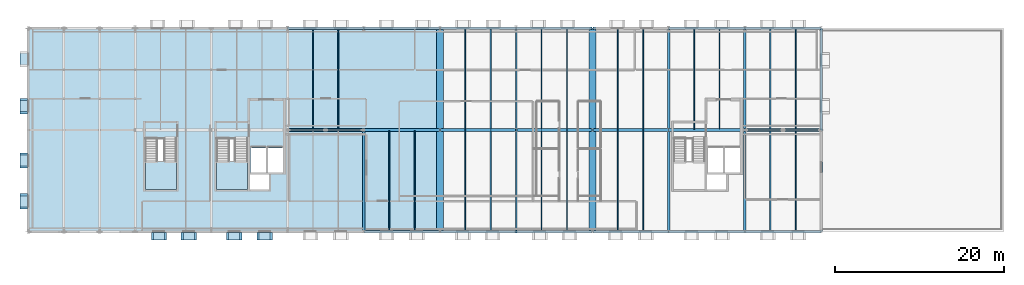
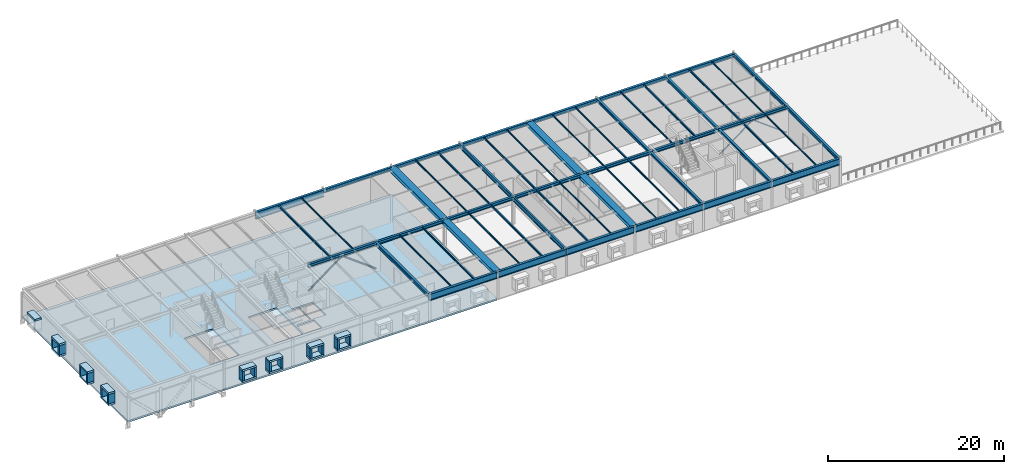
# One storey, part 5 of 17: 55 beams, 29 plates, 4 members, 3 slabs, 2 elements without a shape of their own.
"""IFC4 building model written with IfcOpenShell, lengths in metres."""

from ifc_helpers import new_model, si_unit, direction, frame, origin, origin_2d, place, context, subcontext, project, spatial, polyline, rectangle, hollow_circle, i_section, outline, extrude, material, layer, layer_set, material_profile, profile_set, type_object, element, aggregate, save


model = new_model("IFC4")

# Units and contexts
model_context = context("Model", 3, precision=1e-05, world=origin(), true_north=direction((0.0, 1.0)))
body_context = subcontext(model_context, "Body", "Model", "MODEL_VIEW")
ifc_project = project(units=[si_unit("LENGTHUNIT", "METRE"), si_unit("AREAUNIT", "SQUARE_METRE"), si_unit("VOLUMEUNIT", "CUBIC_METRE"), si_unit("PLANEANGLEUNIT", "RADIAN"), si_unit("MASSUNIT", "GRAM", prefix="KILO")], contexts=[model_context])

# Site, building, storey
site_placement = place(None, origin())
site = spatial("IfcSite", under=ifc_project, at=site_placement, CompositionType="ELEMENT")
building_placement = place(site_placement, origin())
building = spatial("IfcBuilding", under=site, at=building_placement, Name="Montelvaro Courts of Justice", CompositionType="ELEMENT")
storey_placement = place(building_placement, frame((0.0, 0.0, 27.39990234375)))
storey = spatial("IfcBuildingStorey", under=building, at=storey_placement, Name="L06", CompositionType="ELEMENT", Elevation=27.39990234375)

# Beams
ifc_material_1 = material(Name="Steel S355", Category="steel")
ifc_material_profile_1 = material_profile(ifc_material_1, i_section(OverallWidth=0.300048828125, OverallDepth=0.389892578125, WebThickness=0.010986328125, FlangeThickness=0.01904296875, at=origin_2d()), Name="HEA 400")
ifc_profile_set_1 = profile_set([ifc_material_profile_1], Name="Steel S355")
beam_type_1 = type_object("IfcBeamType", Name="Beam_HEA400", PredefinedType="USERDEFINED", material=ifc_profile_set_1)
for number, where, z_axis, x_axis, name in (
    (1, (108.0, 0.0, 3.60498046875), (0.0, 1.0, 0.0), (-1.0, 0.0, 0.0), "Beam B-17 L06"),
    (2, (108.0, 12.0, 3.60498046875), (0.0, 1.0, 0.0), (-1.0, 0.0, 0.0), "Beam B-17 L06"),
):
    element("IfcBeam", number, at=place(storey_placement, frame(where, z_axis=z_axis, x_axis=x_axis)), inside=storey, type_object=beam_type_1, Name=name, ObjectType="GIRDER", PredefinedType="USERDEFINED", context=body_context, shape_type="SweptSolid", body=[
        extrude(i_section(OverallWidth=0.300048828125, OverallDepth=0.389892578125, WebThickness=0.010986328125, FlangeThickness=0.01904296875, at=origin_2d()), origin(), (0.0, 0.0, 1.0), 12.0),
    ])
ifc_material_profile_2 = material_profile(ifc_material_1, i_section(OverallWidth=0.300048828125, OverallDepth=0.43994140625, WebThickness=0.011474609375, FlangeThickness=0.02099609375, at=origin_2d()), Name="HEA 450")
ifc_profile_set_2 = profile_set([ifc_material_profile_2], Name="Steel S355")
beam_type_2 = type_object("IfcBeamType", Name="Beam_HEA450", PredefinedType="USERDEFINED", material=ifc_profile_set_2)
beam_1_placement = place(storey_placement, frame((63.0, 12.0, 3.580078125), z_axis=(1.0, 0.0, 0.0), x_axis=(0.0, 1.0, 0.0)))
element("IfcBeam", 3, at=beam_1_placement, inside=storey, type_object=beam_type_2, Name="Beam B-18 L06", ObjectType="GIRDER", PredefinedType="USERDEFINED", context=body_context, shape_type="SweptSolid", body=[
    extrude(i_section(OverallWidth=0.300048828125, OverallDepth=0.43994140625, WebThickness=0.011474609375, FlangeThickness=0.02099609375, at=origin_2d()), origin(), (0.0, 0.0, 1.0), 9.0),
])
for number, where, z_axis, x_axis, name in (
    (4, (72.0, 12.0, 3.580078125), (1.0, 0.0, 0.0), (0.0, 1.0, 0.0), "Beam B-18 L06"),
    (5, (81.050048828125, 12.0, 3.580078125), (1.0, 0.0, 0.0), (0.0, 1.0, 0.0), "Beam B-18 L06"),
    (6, (90.0, 12.0, 3.580078125), (1.0, 0.0, 0.0), (0.0, 1.0, 0.0), "Beam B-18 L06"),
    (7, (99.050048828125, 12.0, 3.580078125), (1.0, 0.0, 0.0), (0.0, 1.0, 0.0), "Beam B-18 L06"),
):
    element("IfcBeam", number, at=place(storey_placement, frame(where, z_axis=z_axis, x_axis=x_axis)), inside=storey, type_object=beam_type_2, Name=name, ObjectType="GIRDER", PredefinedType="USERDEFINED", context=body_context, shape_type="SweptSolid", body=[
        extrude(i_section(OverallWidth=0.300048828125, OverallDepth=0.43994140625, WebThickness=0.011474609375, FlangeThickness=0.02099609375, at=origin_2d()), origin(), (0.0, 0.0, 1.0), 8.949951171875),
    ])
for number, where, z_axis, x_axis, name in (
    (8, (108.0, 12.0, 3.580078125), (1.0, 0.0, 0.0), (0.0, 1.0, 0.0), "Beam B-18 L06"),
    (9, (117.0, 12.0, 3.580078125), (1.0, 0.0, 0.0), (0.0, 1.0, 0.0), "Beam B-18 L06"),
):
    element("IfcBeam", number, at=place(storey_placement, frame(where, z_axis=z_axis, x_axis=x_axis)), inside=storey, type_object=beam_type_2, Name=name, ObjectType="GIRDER", PredefinedType="USERDEFINED", context=body_context, shape_type="SweptSolid", body=[
        extrude(i_section(OverallWidth=0.300048828125, OverallDepth=0.43994140625, WebThickness=0.011474609375, FlangeThickness=0.02099609375, at=origin_2d()), origin(), (0.0, 0.0, 1.0), 9.0),
    ])
for number, where, z_axis, x_axis, name in (
    (10, (117.0, 0.0, 3.580078125), (0.0, 1.0, 0.0), (-1.0, 0.0, 0.0), "Beam B-18 L06"),
    (11, (117.0, 12.0, 3.580078125), (0.0, 1.0, 0.0), (-1.0, 0.0, 0.0), "Beam B-18 L06"),
):
    element("IfcBeam", number, at=place(storey_placement, frame(where, z_axis=z_axis, x_axis=x_axis)), inside=storey, type_object=beam_type_2, Name=name, ObjectType="GIRDER", PredefinedType="USERDEFINED", context=body_context, shape_type="SweptSolid", body=[
        extrude(i_section(OverallWidth=0.300048828125, OverallDepth=0.43994140625, WebThickness=0.011474609375, FlangeThickness=0.02099609375, at=origin_2d()), origin(), (0.0, 0.0, 1.0), 12.0),
    ])
ifc_material_profile_3 = material_profile(ifc_material_1, i_section(OverallWidth=0.300048828125, OverallDepth=0.489990234375, WebThickness=0.011962890625, FlangeThickness=0.02294921875, at=origin_2d()), Name="HEA 500")
ifc_profile_set_3 = profile_set([ifc_material_profile_3], Name="Steel S355")
beam_type_3 = type_object("IfcBeamType", Name="Beam_HEA500", PredefinedType="USERDEFINED", material=ifc_profile_set_3)
for number, where, z_axis, x_axis, name in (
    (12, (72.0, 24.0, 3.55517578125), (1.0, 0.0, 0.0), (0.0, 1.0, 0.0), "Beam B-19 L06"),
    (13, (81.050048828125, 24.0, 3.55517578125), (1.0, 0.0, 0.0), (0.0, 1.0, 0.0), "Beam B-19 L06"),
    (14, (90.0, 24.0, 3.55517578125), (1.0, 0.0, 0.0), (0.0, 1.0, 0.0), "Beam B-19 L06"),
    (15, (99.050048828125, 24.0, 3.55517578125), (1.0, 0.0, 0.0), (0.0, 1.0, 0.0), "Beam B-19 L06"),
):
    element("IfcBeam", number, at=place(storey_placement, frame(where, z_axis=z_axis, x_axis=x_axis)), inside=storey, type_object=beam_type_3, Name=name, ObjectType="GIRDER", PredefinedType="USERDEFINED", context=body_context, shape_type="SweptSolid", body=[
        extrude(i_section(OverallWidth=0.300048828125, OverallDepth=0.489990234375, WebThickness=0.011962890625, FlangeThickness=0.02294921875, at=origin_2d()), origin(), (0.0, 0.0, 1.0), 8.949951171875),
    ])
for number, where, z_axis, x_axis, name in (
    (16, (108.0, 24.0, 3.55517578125), (1.0, 0.0, 0.0), (0.0, 1.0, 0.0), "Beam B-19 L06"),
    (17, (117.0, 24.0, 3.55517578125), (1.0, 0.0, 0.0), (0.0, 1.0, 0.0), "Beam B-19 L06"),
):
    element("IfcBeam", number, at=place(storey_placement, frame(where, z_axis=z_axis, x_axis=x_axis)), inside=storey, type_object=beam_type_3, Name=name, ObjectType="GIRDER", PredefinedType="USERDEFINED", context=body_context, shape_type="SweptSolid", body=[
        extrude(i_section(OverallWidth=0.300048828125, OverallDepth=0.489990234375, WebThickness=0.011962890625, FlangeThickness=0.02294921875, at=origin_2d()), origin(), (0.0, 0.0, 1.0), 9.0),
    ])
for number, where, z_axis, x_axis, name in (
    (18, (72.0, 0.0, 3.55517578125), (0.0, 1.0, 0.0), (-1.0, 0.0, 0.0), "Beam B-19 L06"),
    (19, (126.0, 0.0, 3.55517578125), (0.0, 1.0, 0.0), (-1.0, 0.0, 0.0), "Beam B-19 L06"),
    (20, (126.0, 12.0, 3.55517578125), (0.0, 1.0, 0.0), (-1.0, 0.0, 0.0), "Beam B-19 L06"),
):
    element("IfcBeam", number, at=place(storey_placement, frame(where, z_axis=z_axis, x_axis=x_axis)), inside=storey, type_object=beam_type_3, Name=name, ObjectType="GIRDER", PredefinedType="USERDEFINED", context=body_context, shape_type="SweptSolid", body=[
        extrude(i_section(OverallWidth=0.300048828125, OverallDepth=0.489990234375, WebThickness=0.011962890625, FlangeThickness=0.02294921875, at=origin_2d()), origin(), (0.0, 0.0, 1.0), 12.0),
    ])
ifc_material_profile_4 = material_profile(ifc_material_1, i_section(OverallWidth=0.302001953125, OverallDepth=1.008056640625, WebThickness=0.02099609375, FlangeThickness=0.0400390625, at=origin_2d()), Name="HEM 1000")
ifc_profile_set_4 = profile_set([ifc_material_profile_4], Name="Steel S355")
beam_type_4 = type_object("IfcBeamType", Name="Beam_HEM1000", PredefinedType="USERDEFINED", material=ifc_profile_set_4)
beam_2_placement = place(storey_placement, frame((72.0, 24.0, 3.296142578125), z_axis=(-1.0, 0.0, 0.0), x_axis=(0.0, -1.0, 0.0)))
element("IfcBeam", 21, at=beam_2_placement, inside=storey, type_object=beam_type_4, Name="Pratt Cantilever Truss Chord CTR-BAR3-N-L07-BS1", ObjectType="GIRDER", PredefinedType="USERDEFINED", context=body_context, shape_type="SweptSolid", body=[
    extrude(i_section(OverallWidth=0.302001953125, OverallDepth=1.008056640625, WebThickness=0.02099609375, FlangeThickness=0.0400390625, at=origin_2d()), origin(), (0.0, 0.0, 1.0), 9.0),
])
ifc_material_profile_5 = material_profile(ifc_material_1, i_section(OverallWidth=0.302001953125, OverallDepth=0.909912109375, WebThickness=0.02099609375, FlangeThickness=0.0400390625, at=origin_2d()), Name="HEM 900")
ifc_profile_set_5 = profile_set([ifc_material_profile_5], Name="Steel S355")
beam_type_5 = type_object("IfcBeamType", Name="Beam_HEM900", PredefinedType="USERDEFINED", material=ifc_profile_set_5)
for number, where, z_axis, x_axis, name in (
    (22, (72.0, 0.0, 3.34521484375), (1.0, 0.0, 0.0), (0.0, 1.0, 0.0), "Beam B-31 L06"),
    (23, (81.050048828125, 0.0, 3.34521484375), (1.0, 0.0, 0.0), (0.0, 1.0, 0.0), "Beam B-31 L06"),
    (24, (90.0, 0.0, 3.34521484375), (1.0, 0.0, 0.0), (0.0, 1.0, 0.0), "Beam B-31 L06"),
    (25, (99.050048828125, 0.0, 3.34521484375), (1.0, 0.0, 0.0), (0.0, 1.0, 0.0), "Beam B-31 L06"),
):
    element("IfcBeam", number, at=place(storey_placement, frame(where, z_axis=z_axis, x_axis=x_axis)), inside=storey, type_object=beam_type_5, Name=name, ObjectType="GIRDER", PredefinedType="USERDEFINED", context=body_context, shape_type="SweptSolid", body=[
        extrude(i_section(OverallWidth=0.302001953125, OverallDepth=0.909912109375, WebThickness=0.02099609375, FlangeThickness=0.0400390625, at=origin_2d()), origin(), (0.0, 0.0, 1.0), 8.949951171875),
    ])
for number, where, z_axis, x_axis, name in (
    (26, (108.0, 0.0, 3.34521484375), (1.0, 0.0, 0.0), (0.0, 1.0, 0.0), "Beam B-31 L06"),
    (27, (117.0, 0.0, 3.34521484375), (1.0, 0.0, 0.0), (0.0, 1.0, 0.0), "Beam B-31 L06"),
):
    element("IfcBeam", number, at=place(storey_placement, frame(where, z_axis=z_axis, x_axis=x_axis)), inside=storey, type_object=beam_type_5, Name=name, ObjectType="GIRDER", PredefinedType="USERDEFINED", context=body_context, shape_type="SweptSolid", body=[
        extrude(i_section(OverallWidth=0.302001953125, OverallDepth=0.909912109375, WebThickness=0.02099609375, FlangeThickness=0.0400390625, at=origin_2d()), origin(), (0.0, 0.0, 1.0), 9.0),
    ])
ifc_material_profile_6 = material_profile(ifc_material_1, i_section(OverallWidth=0.10009765625, OverallDepth=0.199951171875, WebThickness=0.005615234375, FlangeThickness=0.008544921875, at=origin_2d()), Name="IPE 200")
ifc_profile_set_6 = profile_set([ifc_material_profile_6], Name="Steel S355")
beam_type_6 = type_object("IfcBeamType", Name="Beam_IPE200", PredefinedType="JOIST", material=ifc_profile_set_6)
for number, where, z_axis, x_axis, name in (
    (28, (69.0, 12.110107421875, 3.7001953125), (0.0, 1.0, 0.0), (-1.0, 0.0, 0.0), "Beam B-01 L06"),
    (29, (75.0, 0.110107421875, 3.7001953125), (0.0, 1.0, 0.0), (-1.0, 0.0, 0.0), "Beam B-01 L06"),
    (30, (96.0, 0.110107421875, 3.7001953125), (0.0, 1.0, 0.0), (-1.0, 0.0, 0.0), "Beam B-01 L06"),
    (31, (96.0, 12.110107421875, 3.7001953125), (0.0, 1.0, 0.0), (-1.0, 0.0, 0.0), "Beam B-01 L06"),
    (32, (102.0, 0.110107421875, 3.7001953125), (0.0, 1.0, 0.0), (-1.0, 0.0, 0.0), "Beam B-01 L06"),
    (33, (102.0, 12.110107421875, 3.7001953125), (0.0, 1.0, 0.0), (-1.0, 0.0, 0.0), "Beam B-01 L06"),
    (34, (123.0, 0.110107421875, 3.7001953125), (0.0, 1.0, 0.0), (-1.0, 0.0, 0.0), "Beam B-01 L06"),
    (35, (123.0, 12.110107421875, 3.7001953125), (0.0, 1.0, 0.0), (-1.0, 0.0, 0.0), "Beam B-01 L06"),
):
    element("IfcBeam", number, at=place(storey_placement, frame(where, z_axis=z_axis, x_axis=x_axis)), inside=storey, type_object=beam_type_6, Name=name, PredefinedType="JOIST", context=body_context, shape_type="SweptSolid", body=[
        extrude(i_section(OverallWidth=0.10009765625, OverallDepth=0.199951171875, WebThickness=0.005615234375, FlangeThickness=0.008544921875, at=origin_2d()), origin(), (0.0, 0.0, 1.0), 11.77978515625),
    ])
ifc_material_profile_7 = material_profile(ifc_material_1, i_section(OverallWidth=0.110107421875, OverallDepth=0.219970703125, WebThickness=0.005859375, FlangeThickness=0.00927734375, at=origin_2d()), Name="IPE 220")
ifc_profile_set_7 = profile_set([ifc_material_profile_7], Name="Steel S355")
beam_type_7 = type_object("IfcBeamType", Name="Beam_IPE220", PredefinedType="JOIST", material=ifc_profile_set_7)
for number, where, z_axis, x_axis, name in (
    (36, (78.0, 0.110107421875, 3.690185546875), (0.0, 1.0, 0.0), (-1.0, 0.0, 0.0), "Beam B-02 L06"),
    (37, (84.0, 0.110107421875, 3.690185546875), (0.0, 1.0, 0.0), (-1.0, 0.0, 0.0), "Beam B-02 L06"),
    (38, (84.0, 12.110107421875, 3.690185546875), (0.0, 1.0, 0.0), (-1.0, 0.0, 0.0), "Beam B-02 L06"),
    (39, (105.0, 0.110107421875, 3.690185546875), (0.0, 1.0, 0.0), (-1.0, 0.0, 0.0), "Beam B-02 L06"),
    (40, (105.0, 12.110107421875, 3.690185546875), (0.0, 1.0, 0.0), (-1.0, 0.0, 0.0), "Beam B-02 L06"),
    (41, (111.0, 12.110107421875, 3.690185546875), (0.0, 1.0, 0.0), (-1.0, 0.0, 0.0), "Beam B-02 L06"),
):
    element("IfcBeam", number, at=place(storey_placement, frame(where, z_axis=z_axis, x_axis=x_axis)), inside=storey, type_object=beam_type_7, Name=name, PredefinedType="JOIST", context=body_context, shape_type="SweptSolid", body=[
        extrude(i_section(OverallWidth=0.110107421875, OverallDepth=0.219970703125, WebThickness=0.005859375, FlangeThickness=0.00927734375, at=origin_2d()), origin(), (0.0, 0.0, 1.0), 11.77978515625),
    ])
ifc_material_profile_8 = material_profile(ifc_material_1, i_section(OverallWidth=0.135009765625, OverallDepth=0.27001953125, WebThickness=0.006591796875, FlangeThickness=0.01025390625, at=origin_2d()), Name="IPE 270")
ifc_profile_set_8 = profile_set([ifc_material_profile_8], Name="Steel S355")
beam_type_8 = type_object("IfcBeamType", Name="Beam_IPE270", PredefinedType="JOIST", material=ifc_profile_set_8)
for number, where, z_axis, x_axis, name in (
    (42, (66.0, 12.110107421875, 3.6650390625), (0.0, 1.0, 0.0), (-1.0, 0.0, 0.0), "Beam B-04 L06"),
    (43, (87.0, 0.110107421875, 3.6650390625), (0.0, 1.0, 0.0), (-1.0, 0.0, 0.0), "Beam B-04 L06"),
    (44, (87.0, 12.110107421875, 3.6650390625), (0.0, 1.0, 0.0), (-1.0, 0.0, 0.0), "Beam B-04 L06"),
    (45, (93.0, 0.110107421875, 3.6650390625), (0.0, 1.0, 0.0), (-1.0, 0.0, 0.0), "Beam B-04 L06"),
    (46, (93.0, 12.110107421875, 3.6650390625), (0.0, 1.0, 0.0), (-1.0, 0.0, 0.0), "Beam B-04 L06"),
    (47, (114.0, 12.110107421875, 3.6650390625), (0.0, 1.0, 0.0), (-1.0, 0.0, 0.0), "Beam B-04 L06"),
    (48, (120.0, 0.110107421875, 3.6650390625), (0.0, 1.0, 0.0), (-1.0, 0.0, 0.0), "Beam B-04 L06"),
    (49, (120.0, 12.110107421875, 3.6650390625), (0.0, 1.0, 0.0), (-1.0, 0.0, 0.0), "Beam B-04 L06"),
):
    element("IfcBeam", number, at=place(storey_placement, frame(where, z_axis=z_axis, x_axis=x_axis)), inside=storey, type_object=beam_type_8, Name=name, PredefinedType="JOIST", context=body_context, shape_type="SweptSolid", body=[
        extrude(i_section(OverallWidth=0.135009765625, OverallDepth=0.27001953125, WebThickness=0.006591796875, FlangeThickness=0.01025390625, at=origin_2d()), origin(), (0.0, 0.0, 1.0), 11.77978515625),
    ])
ifc_material_profile_9 = material_profile(ifc_material_1, i_section(OverallWidth=0.219970703125, OverallDepth=0.60009765625, WebThickness=0.011962890625, FlangeThickness=0.01904296875, at=origin_2d()), Name="IPE 600")
ifc_profile_set_9 = profile_set([ifc_material_profile_9], Name="Steel S355")
beam_type_9 = type_object("IfcBeamType", Name="Beam_IPE600", PredefinedType="USERDEFINED", material=ifc_profile_set_9)
for number, where, z_axis, x_axis, name in (
    (50, (90.0, 0.0, 3.5), (0.0, 1.0, 0.0), (-1.0, 0.0, 0.0), "Beam B-12 L06"),
    (51, (90.0, 12.0, 3.5), (0.0, 1.0, 0.0), (-1.0, 0.0, 0.0), "Beam B-12 L06"),
):
    element("IfcBeam", number, at=place(storey_placement, frame(where, z_axis=z_axis, x_axis=x_axis)), inside=storey, type_object=beam_type_9, Name=name, ObjectType="GIRDER", PredefinedType="USERDEFINED", context=body_context, shape_type="SweptSolid", body=[
        extrude(i_section(OverallWidth=0.219970703125, OverallDepth=0.60009765625, WebThickness=0.011962890625, FlangeThickness=0.01904296875, at=origin_2d()), origin(), (0.0, 0.0, 1.0), 12.0),
    ])
ifc_material_profile_10 = material_profile(ifc_material_1, i_section(OverallWidth=0.860107421875, OverallDepth=0.47998046875, WebThickness=0.02001953125, FlangeThickness=0.031982421875, at=origin_2d()), Name="HL 480x860")
ifc_profile_set_10 = profile_set([ifc_material_profile_10], Name="Steel S355")
beam_type_10 = type_object("IfcBeamType", Name="Beam_MJSeat_860", PredefinedType="USERDEFINED", material=ifc_profile_set_10)
for number, where, z_axis, x_axis, name in (
    (52, (81.0, 0.0, 3.56005859375), (0.0, 1.0, 0.0), (-1.0, 0.0, 0.0), "Beam BC-01 L06"),
    (53, (81.0, 12.0, 3.56005859375), (0.0, 1.0, 0.0), (-1.0, 0.0, 0.0), "Beam BC-01 L06"),
    (54, (99.0, 0.0, 3.56005859375), (0.0, 1.0, 0.0), (-1.0, 0.0, 0.0), "Beam BC-01 L06"),
    (55, (99.0, 12.0, 3.56005859375), (0.0, 1.0, 0.0), (-1.0, 0.0, 0.0), "Beam BC-01 L06"),
):
    element("IfcBeam", number, at=place(storey_placement, frame(where, z_axis=z_axis, x_axis=x_axis)), inside=storey, type_object=beam_type_10, Name=name, ObjectType="GIRDER", PredefinedType="USERDEFINED", context=body_context, shape_type="SweptSolid", body=[
        extrude(i_section(OverallWidth=0.860107421875, OverallDepth=0.47998046875, WebThickness=0.02001953125, FlangeThickness=0.031982421875, at=origin_2d()), origin(), (0.0, 0.0, 1.0), 12.0),
    ])

# Members
ifc_material_profile_11 = material_profile(ifc_material_1, hollow_circle(Radius=0.084228515625, WallThickness=0.008056640625, at=origin_2d()), Name="CHS 168.3x8")
ifc_profile_set_11 = profile_set([ifc_material_profile_11], Name="Steel S355")
member_type = type_object("IfcMemberType", Name="Mem_CHS168_Brace", PredefinedType="BRACE", material=ifc_profile_set_11)
for number, where, z_axis, x_axis, name in (
    (56, (63.080078125, 12.0, 0.080078125), (0.801294084563, 0.0, 0.598270666208), (0.0, 1.0, 0.0), "Lateral Braced Frame CBF1 Diagonal 1 (L06)"),
    (57, (71.919921875, 12.0, 0.080078125), (-0.801294084563, 0.0, 0.598270666208), (0.0, -1.0, 0.0), "Lateral Braced Frame CBF1 Diagonal 2 (L06)"),
    (58, (117.080078125, 12.0, 0.080078125), (0.801294084563, 0.0, 0.598270666208), (0.0, 1.0, 0.0), "Lateral Braced Frame CBF2 Diagonal 1 (L06)"),
    (59, (125.919921875, 12.0, 0.080078125), (-0.801294084563, 0.0, 0.598270666208), (0.0, -1.0, 0.0), "Lateral Braced Frame CBF2 Diagonal 2 (L06)"),
):
    element("IfcMember", number, at=place(storey_placement, frame(where, z_axis=z_axis, x_axis=x_axis)), inside=storey, type_object=member_type, Name=name, PredefinedType="BRACE", context=body_context, shape_type="SweptSolid", body=[
        extrude(hollow_circle(Radius=0.084228515625, WallThickness=0.008056640625, at=origin_2d()), origin(), (0.0, 0.0, 1.0), 5.515869140625),
    ])

# Slab
ifc_material_2 = material(Name="Concrete C35/45", Category="concrete")
ifc_layer_1 = layer(ifc_material_2, 0.239990234375)
ifc_layer_set_1 = layer_set([ifc_layer_1], Name="Concrete C35/45")
slab_type_1 = type_object("IfcSlabType", Name="FloorSlab_240", PredefinedType="FLOOR", material=ifc_layer_set_1)
slab_1_placement = place(storey_placement, frame((0.0, 0.0, -0.239990234375)))
element("IfcSlab", 60, at=slab_1_placement, inside=storey, type_object=slab_type_1, Name="Structural Slab SF-08 L06", PredefinedType="FLOOR", context=body_context, shape_type="SweptSolid", body=[
    extrude(outline(polyline([(32.39990234375, 0.0), (80.949951171875, 0.0), (80.949951171875, 24.0), (32.39990234375, 24.0), (32.39990234375, 0.0)]), holes=[polyline([(54.60009765625, 5.0), (58.300048828125, 5.0), (58.300048828125, 11.0), (54.60009765625, 11.0), (54.60009765625, 5.0)]), polyline([(58.5400390625, 5.0), (60.800048828125, 5.0), (60.800048828125, 6.760009765625), (58.5400390625, 6.760009765625), (58.5400390625, 5.0)]), polyline([(58.64990234375, 7.0), (60.5, 7.0), (60.5, 9.89990234375), (58.64990234375, 9.89990234375), (58.64990234375, 7.0)]), polyline([(60.60009765625, 7.0), (62.449951171875, 7.0), (62.449951171875, 9.89990234375), (60.60009765625, 9.89990234375), (60.60009765625, 7.0)]), polyline([(46.199951171875, 5.0), (49.89990234375, 5.0), (49.89990234375, 11.0), (46.199951171875, 11.0), (46.199951171875, 5.0)])]), origin(), (0.0, 0.0, 1.0), 0.239990234375),
])

# Plates
ifc_material_3 = material(Name="White mineral precast concrete C45/55", Category="concrete")
ifc_layer_2 = layer(ifc_material_3, 0.25)
ifc_layer_set_2 = layer_set([ifc_layer_2], Name="White mineral precast concrete C45/55")
plate_type = type_object("IfcPlateType", Name="PrecastSquareFrame_250x850", PredefinedType="SHEET", material=ifc_layer_set_2)
for number, where, z_axis, x_axis, name in (
    (61, (47.80810546875, -0.56005859375, 2.35009765625), (0.0, 0.0, 1.0), (1.0, 0.0, 0.0), "Graduated Square Window Frame PF-03 W-L06-284 TOP"),
    (62, (47.80810546875, -0.56005859375, 0.800048828125), (0.0, 0.0, 1.0), (1.0, 0.0, 0.0), "Graduated Square Window Frame PF-03 W-L06-284 BOT"),
):
    element("IfcPlate", number, at=place(storey_placement, frame(where, z_axis=z_axis, x_axis=x_axis)), inside=storey, type_object=plate_type, Name=name, PredefinedType="SHEET", context=body_context, shape_type="SweptSolid", body=[
        extrude(rectangle(XDim=1.800048828125, YDim=0.860107421875, at=origin_2d()), origin(), (0.0, 0.0, 1.0), 0.25),
    ])
for number, where, z_axis, x_axis, name in (
    (63, (47.032958984375, -0.56005859375, 1.05029296875), (0.0, 0.0, 1.0), (1.0, 0.0, 0.0), "Graduated Square Window Frame PF-03 W-L06-284 L"),
    (64, (48.5830078125, -0.56005859375, 1.05029296875), (0.0, 0.0, 1.0), (1.0, 0.0, 0.0), "Graduated Square Window Frame PF-03 W-L06-284 R"),
):
    element("IfcPlate", number, at=place(storey_placement, frame(where, z_axis=z_axis, x_axis=x_axis)), inside=storey, type_object=plate_type, Name=name, PredefinedType="SHEET", context=body_context, shape_type="SweptSolid", body=[
        extrude(rectangle(XDim=0.25, YDim=0.860107421875, at=origin_2d()), origin(), (0.0, 0.0, 1.0), 1.300048828125),
    ])
for number, where, z_axis, x_axis, name in (
    (65, (51.342041015625, -0.56005859375, 2.35009765625), (0.0, 0.0, 1.0), (1.0, 0.0, 0.0), "Graduated Square Window Frame PF-03 W-L06-285 TOP"),
    (66, (51.342041015625, -0.56005859375, 0.800048828125), (0.0, 0.0, 1.0), (1.0, 0.0, 0.0), "Graduated Square Window Frame PF-03 W-L06-285 BOT"),
):
    element("IfcPlate", number, at=place(storey_placement, frame(where, z_axis=z_axis, x_axis=x_axis)), inside=storey, type_object=plate_type, Name=name, PredefinedType="SHEET", context=body_context, shape_type="SweptSolid", body=[
        extrude(rectangle(XDim=1.800048828125, YDim=0.860107421875, at=origin_2d()), origin(), (0.0, 0.0, 1.0), 0.25),
    ])
for number, where, z_axis, x_axis, name in (
    (67, (50.56689453125, -0.56005859375, 1.05029296875), (0.0, 0.0, 1.0), (1.0, 0.0, 0.0), "Graduated Square Window Frame PF-03 W-L06-285 L"),
    (68, (52.116943359375, -0.56005859375, 1.05029296875), (0.0, 0.0, 1.0), (1.0, 0.0, 0.0), "Graduated Square Window Frame PF-03 W-L06-285 R"),
):
    element("IfcPlate", number, at=place(storey_placement, frame(where, z_axis=z_axis, x_axis=x_axis)), inside=storey, type_object=plate_type, Name=name, PredefinedType="SHEET", context=body_context, shape_type="SweptSolid", body=[
        extrude(rectangle(XDim=0.25, YDim=0.860107421875, at=origin_2d()), origin(), (0.0, 0.0, 1.0), 1.300048828125),
    ])
for number, where, z_axis, x_axis, name in (
    (69, (56.702880859375, -0.56005859375, 2.35009765625), (0.0, 0.0, 1.0), (1.0, 0.0, 0.0), "Graduated Square Window Frame PF-03 W-L06-286 TOP"),
    (70, (56.702880859375, -0.56005859375, 0.800048828125), (0.0, 0.0, 1.0), (1.0, 0.0, 0.0), "Graduated Square Window Frame PF-03 W-L06-286 BOT"),
):
    element("IfcPlate", number, at=place(storey_placement, frame(where, z_axis=z_axis, x_axis=x_axis)), inside=storey, type_object=plate_type, Name=name, PredefinedType="SHEET", context=body_context, shape_type="SweptSolid", body=[
        extrude(rectangle(XDim=1.800048828125, YDim=0.860107421875, at=origin_2d()), origin(), (0.0, 0.0, 1.0), 0.25),
    ])
for number, where, z_axis, x_axis, name in (
    (71, (55.927978515625, -0.56005859375, 1.05029296875), (0.0, 0.0, 1.0), (1.0, 0.0, 0.0), "Graduated Square Window Frame PF-03 W-L06-286 L"),
    (72, (57.47802734375, -0.56005859375, 1.05029296875), (0.0, 0.0, 1.0), (1.0, 0.0, 0.0), "Graduated Square Window Frame PF-03 W-L06-286 R"),
):
    element("IfcPlate", number, at=place(storey_placement, frame(where, z_axis=z_axis, x_axis=x_axis)), inside=storey, type_object=plate_type, Name=name, PredefinedType="SHEET", context=body_context, shape_type="SweptSolid", body=[
        extrude(rectangle(XDim=0.25, YDim=0.860107421875, at=origin_2d()), origin(), (0.0, 0.0, 1.0), 1.300048828125),
    ])
for number, where, z_axis, x_axis, name in (
    (73, (60.297119140625, -0.56005859375, 2.35009765625), (0.0, 0.0, 1.0), (1.0, 0.0, 0.0), "Graduated Square Window Frame PF-03 W-L06-287 TOP"),
    (74, (60.297119140625, -0.56005859375, 0.800048828125), (0.0, 0.0, 1.0), (1.0, 0.0, 0.0), "Graduated Square Window Frame PF-03 W-L06-287 BOT"),
):
    element("IfcPlate", number, at=place(storey_placement, frame(where, z_axis=z_axis, x_axis=x_axis)), inside=storey, type_object=plate_type, Name=name, PredefinedType="SHEET", context=body_context, shape_type="SweptSolid", body=[
        extrude(rectangle(XDim=1.800048828125, YDim=0.860107421875, at=origin_2d()), origin(), (0.0, 0.0, 1.0), 0.25),
    ])
for number, where, z_axis, x_axis, name in (
    (75, (59.52197265625, -0.56005859375, 1.05029296875), (0.0, 0.0, 1.0), (1.0, 0.0, 0.0), "Graduated Square Window Frame PF-03 W-L06-287 L"),
    (76, (61.072021484375, -0.56005859375, 1.05029296875), (0.0, 0.0, 1.0), (1.0, 0.0, 0.0), "Graduated Square Window Frame PF-03 W-L06-287 R"),
):
    element("IfcPlate", number, at=place(storey_placement, frame(where, z_axis=z_axis, x_axis=x_axis)), inside=storey, type_object=plate_type, Name=name, PredefinedType="SHEET", context=body_context, shape_type="SweptSolid", body=[
        extrude(rectangle(XDim=0.25, YDim=0.860107421875, at=origin_2d()), origin(), (0.0, 0.0, 1.0), 1.300048828125),
    ])
for number, where, z_axis, x_axis, name in (
    (77, (31.840087890625, 20.368896484375, 2.35009765625), (0.0, 0.0, 1.0), (0.0, -1.0, 0.0), "Graduated Square Window Frame PF-03 W-L06-300 TOP"),
    (78, (31.840087890625, 14.81005859375, 2.35009765625), (0.0, 0.0, 1.0), (0.0, -1.0, 0.0), "Graduated Square Window Frame PF-03 W-L06-301 TOP"),
    (79, (31.840087890625, 14.81005859375, 0.800048828125), (0.0, 0.0, 1.0), (0.0, -1.0, 0.0), "Graduated Square Window Frame PF-03 W-L06-301 BOT"),
):
    element("IfcPlate", number, at=place(storey_placement, frame(where, z_axis=z_axis, x_axis=x_axis)), inside=storey, type_object=plate_type, Name=name, PredefinedType="SHEET", context=body_context, shape_type="SweptSolid", body=[
        extrude(rectangle(XDim=1.800048828125, YDim=0.860107421875, at=origin_2d()), origin(), (0.0, 0.0, 1.0), 0.25),
    ])
for number, where, z_axis, x_axis, name in (
    (80, (31.840087890625, 15.5849609375, 1.05029296875), (0.0, 0.0, 1.0), (0.0, -1.0, 0.0), "Graduated Square Window Frame PF-03 W-L06-301 L"),
    (81, (31.840087890625, 14.034912109375, 1.05029296875), (0.0, 0.0, 1.0), (0.0, -1.0, 0.0), "Graduated Square Window Frame PF-03 W-L06-301 R"),
):
    element("IfcPlate", number, at=place(storey_placement, frame(where, z_axis=z_axis, x_axis=x_axis)), inside=storey, type_object=plate_type, Name=name, PredefinedType="SHEET", context=body_context, shape_type="SweptSolid", body=[
        extrude(rectangle(XDim=0.25, YDim=0.860107421875, at=origin_2d()), origin(), (0.0, 0.0, 1.0), 1.300048828125),
    ])
for number, where, z_axis, x_axis, name in (
    (82, (31.840087890625, 8.39501953125, 2.35009765625), (0.0, 0.0, 1.0), (0.0, -1.0, 0.0), "Graduated Square Window Frame PF-03 W-L06-302 TOP"),
    (83, (31.840087890625, 8.39501953125, 0.800048828125), (0.0, 0.0, 1.0), (0.0, -1.0, 0.0), "Graduated Square Window Frame PF-03 W-L06-302 BOT"),
):
    element("IfcPlate", number, at=place(storey_placement, frame(where, z_axis=z_axis, x_axis=x_axis)), inside=storey, type_object=plate_type, Name=name, PredefinedType="SHEET", context=body_context, shape_type="SweptSolid", body=[
        extrude(rectangle(XDim=1.800048828125, YDim=0.860107421875, at=origin_2d()), origin(), (0.0, 0.0, 1.0), 0.25),
    ])
for number, where, z_axis, x_axis, name in (
    (84, (31.840087890625, 9.169921875, 1.05029296875), (0.0, 0.0, 1.0), (0.0, -1.0, 0.0), "Graduated Square Window Frame PF-03 W-L06-302 L"),
    (85, (31.840087890625, 7.6201171875, 1.05029296875), (0.0, 0.0, 1.0), (0.0, -1.0, 0.0), "Graduated Square Window Frame PF-03 W-L06-302 R"),
):
    element("IfcPlate", number, at=place(storey_placement, frame(where, z_axis=z_axis, x_axis=x_axis)), inside=storey, type_object=plate_type, Name=name, PredefinedType="SHEET", context=body_context, shape_type="SweptSolid", body=[
        extrude(rectangle(XDim=0.25, YDim=0.860107421875, at=origin_2d()), origin(), (0.0, 0.0, 1.0), 1.300048828125),
    ])
for number, where, z_axis, x_axis, name in (
    (86, (31.840087890625, 3.574951171875, 2.35009765625), (0.0, 0.0, 1.0), (0.0, -1.0, 0.0), "Graduated Square Window Frame PF-03 W-L06-303 TOP"),
    (87, (31.840087890625, 3.574951171875, 0.800048828125), (0.0, 0.0, 1.0), (0.0, -1.0, 0.0), "Graduated Square Window Frame PF-03 W-L06-303 BOT"),
):
    element("IfcPlate", number, at=place(storey_placement, frame(where, z_axis=z_axis, x_axis=x_axis)), inside=storey, type_object=plate_type, Name=name, PredefinedType="SHEET", context=body_context, shape_type="SweptSolid", body=[
        extrude(rectangle(XDim=1.800048828125, YDim=0.860107421875, at=origin_2d()), origin(), (0.0, 0.0, 1.0), 0.25),
    ])
for number, where, z_axis, x_axis, name in (
    (88, (31.840087890625, 4.35009765625, 1.05029296875), (0.0, 0.0, 1.0), (0.0, -1.0, 0.0), "Graduated Square Window Frame PF-03 W-L06-303 L"),
    (89, (31.840087890625, 2.800048828125, 1.05029296875), (0.0, 0.0, 1.0), (0.0, -1.0, 0.0), "Graduated Square Window Frame PF-03 W-L06-303 R"),
):
    element("IfcPlate", number, at=place(storey_placement, frame(where, z_axis=z_axis, x_axis=x_axis)), inside=storey, type_object=plate_type, Name=name, PredefinedType="SHEET", context=body_context, shape_type="SweptSolid", body=[
        extrude(rectangle(XDim=0.25, YDim=0.860107421875, at=origin_2d()), origin(), (0.0, 0.0, 1.0), 1.300048828125),
    ])

# Stair, slab
stair_type_1 = type_object("IfcStairType", Name="ProtectedStair_155", PredefinedType="HALF_TURN_STAIR", material=ifc_material_2)
stair_1_placement = place(storey_placement, origin())
stair_1 = element("IfcStair", 90, at=stair_1_placement, inside=storey, type_object=stair_type_1, Name="Protected Stair ST-K1-L06", PredefinedType="HALF_TURN_STAIR")
ifc_layer_3 = layer(ifc_material_2, 0.199951171875)
ifc_layer_set_3 = layer_set([ifc_layer_3], Name="Concrete C35/45")
slab_type_2 = type_object("IfcSlabType", Name="StairLanding_200", PredefinedType="LANDING", material=ifc_layer_set_3)
slab_2_placement = place(storey_placement, frame((0.0, 0.0, 1.800048828125)))
slab_2 = element("IfcSlab", 91, at=slab_2_placement, type_object=slab_type_2, Name="ST-K1-L06 landing 1", PredefinedType="LANDING", context=body_context, shape_type="SweptSolid", body=[
    extrude(outline(polyline([(54.60009765625, 5.0), (58.300048828125, 5.0), (58.300048828125, 8.304931640625), (54.60009765625, 8.304931640625), (54.60009765625, 5.0)])), origin(), (0.0, 0.0, 1.0), 0.199951171875),
])
aggregate(stair_1, [slab_2])

stair_type_2 = type_object("IfcStairType", Name="ProtectedStair_145", PredefinedType="HALF_TURN_STAIR", material=ifc_material_2)
stair_2_placement = place(storey_placement, origin())
stair_2 = element("IfcStair", 92, at=stair_2_placement, inside=storey, type_object=stair_type_2, Name="Protected Stair ST-E1-L06", PredefinedType="HALF_TURN_STAIR")
slab_3_placement = place(storey_placement, frame((0.0, 0.0, 1.800048828125)))
slab_3 = element("IfcSlab", 93, at=slab_3_placement, type_object=slab_type_2, Name="ST-E1-L06 landing 1", PredefinedType="LANDING", context=body_context, shape_type="SweptSolid", body=[
    extrude(outline(polyline([(46.199951171875, 5.0), (49.89990234375, 5.0), (49.89990234375, 8.304931640625), (46.199951171875, 8.304931640625), (46.199951171875, 5.0)])), origin(), (0.0, 0.0, 1.0), 0.199951171875),
])
aggregate(stair_2, [slab_3])

save(model, "model.ifc")
